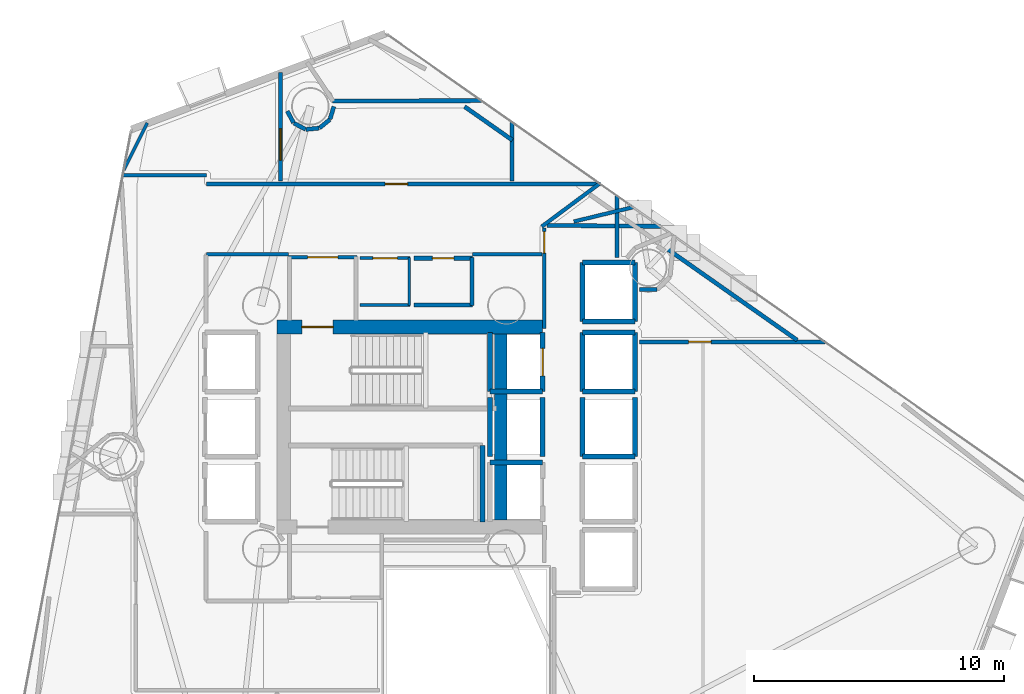
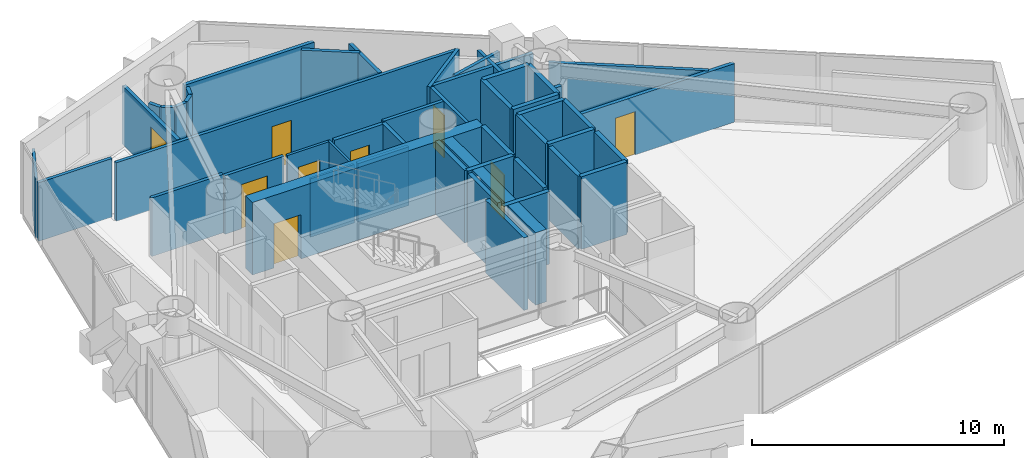
# One storey, part 20 of 24: 49 walls, 9 doors, 9 openings.
"""IFC4 building model written with IfcOpenShell, lengths in metres."""

from ifc_helpers import new_model, si_unit, direction, frame, frame_2d, origin, place, context, subcontext, project, spatial, rectangle, extrude, material, layer, layer_set, type_object, element, fill, save


model = new_model("IFC4")

# Units and contexts
model_context = context("Model", 3, precision=1e-05, world=origin(), true_north=direction((0.0, 1.0)))
body_context = subcontext(model_context, "Body", "Model", "MODEL_VIEW")
ifc_project = project(units=[si_unit("LENGTHUNIT", "METRE"), si_unit("AREAUNIT", "SQUARE_METRE"), si_unit("VOLUMEUNIT", "CUBIC_METRE"), si_unit("PLANEANGLEUNIT", "RADIAN"), si_unit("MASSUNIT", "GRAM", prefix="KILO")], contexts=[model_context])

# Site, building, storey
site_placement = place(None, origin())
site = spatial("IfcSite", under=ifc_project, at=site_placement, CompositionType="ELEMENT")
building_placement = place(site_placement, origin())
building = spatial("IfcBuilding", under=site, at=building_placement, Name="Qianvela Tower", CompositionType="ELEMENT")
storey_placement = place(building_placement, frame((0.0, 0.0, 101.5)))
storey = spatial("IfcBuildingStorey", under=building, at=storey_placement, Name="L25", CompositionType="ELEMENT", Elevation=101.5)

# Wall, opening, door
ifc_material_1 = material(Name="Concrete C60", Category="concrete")
ifc_layer_1 = layer(ifc_material_1, 0.550048828125)
ifc_layer_set_1 = layer_set([ifc_layer_1], Name="Concrete C60")
wall_type_1 = type_object("IfcWallType", Name="WT-CORE-550", PredefinedType="SHEAR", material=ifc_layer_set_1)
wall_1_placement = place(storey_placement, frame((29.22998046875, 32.695068359375, 0.0), z_axis=(0.0, 0.0, 1.0), x_axis=(1.0, 0.0, 0.0)))
wall_1 = element("IfcWall", 1, at=wall_1_placement, inside=storey, type_object=wall_type_1, Name="L25 North Core Shear Wall", PredefinedType="SHEAR", context=body_context, shape_type="SweptSolid", body=[
    extrude(rectangle(XDim=10.6201171875, YDim=0.550048828125, at=frame_2d((5.31005859375, 0.0))), origin(), (0.0, 0.0, 1.0), 3.52001953125),
])
opening_1_placement = place(wall_1_placement, frame((0.9951171875, 0.0, 0.0)))
opening_1 = element("IfcOpeningElement", 2, at=opening_1_placement, cuts=wall_1, Name="Opening D-ST1", PredefinedType="OPENING", context=body_context, shape_type="SweptSolid", body=[
    extrude(rectangle(XDim=1.25, YDim=2.14990234375, at=frame_2d((0.625, 1.074951171875))), frame((0.0, 0.284912109375, 0.0), z_axis=(0.0, -1.0, 0.0), x_axis=(1.0, 0.0, 0.0)), (0.0, 0.0, 1.0), 0.570068359375),
])
ifc_material_2 = material(Name="Galvanised Fire Steel Q355B", Category="steel")
door_type_1 = type_object("IfcDoorType", Name="DT-STAIR-FD90", OperationType="NOTDEFINED", PredefinedType="DOOR", material=ifc_material_2)
door_1_placement = place(opening_1_placement, origin())
door_1 = element("IfcDoor", 3, at=door_1_placement, inside=storey, type_object=door_type_1, Name="L25 Stair ST-1 Exit Door", OperationType="SINGLE_SWING_RIGHT", OverallHeight=2.14990234375, OverallWidth=1.25, PredefinedType="DOOR", context=body_context, shape_type="SweptSolid", body=[
    extrude(rectangle(XDim=1.25, YDim=2.14990234375, at=frame_2d((0.625, 1.074951171875))), frame((0.0, 0.02490234375, 0.0), z_axis=(0.0, -1.0, 0.0), x_axis=(1.0, 0.0, 0.0)), (0.0, 0.0, 1.0), 0.050048828125),
])
fill(opening_1, door_1)

# Wall
wall_2_placement = place(storey_placement, frame((38.179931640625, 24.97998046875, 0.0), z_axis=(0.0, 0.0, 1.0), x_axis=(0.0, 1.0, 0.0)))
element("IfcWall", 4, at=wall_2_placement, inside=storey, type_object=wall_type_1, Name="L25 East Spine Core Shear Wall", PredefinedType="SHEAR", context=body_context, shape_type="SweptSolid", body=[
    extrude(rectangle(XDim=7.43994140625, YDim=0.5, at=frame_2d((3.719970703125, 0.0))), origin(), (0.0, 0.0, 1.0), 3.52001953125),
])

# Wall, opening, door
ifc_material_3 = material(Name="Fire-Rated Acoustic Gypsum Board")
ifc_layer_2 = layer(ifc_material_3, 0.14990234375)
ifc_layer_set_2 = layer_set([ifc_layer_2], Name="Fire-Rated Acoustic Gypsum Board")
wall_type_2 = type_object("IfcWallType", Name="WT-CORR-150", PredefinedType="PARTITIONING", material=ifc_layer_set_2)
wall_3_placement = place(storey_placement, frame((29.699951171875, 35.489013671875, 0.0), z_axis=(0.0, 0.0, 1.0), x_axis=(1.0, 0.0, 0.0)))
wall_3 = element("IfcWall", 5, at=wall_3_placement, inside=storey, type_object=wall_type_2, Name="L25 Partition 3", PredefinedType="PARTITIONING", context=body_context, shape_type="SweptSolid", body=[
    extrude(rectangle(XDim=2.719970703125, YDim=0.14990234375, at=frame_2d((1.35986328125, 0.0))), origin(), (0.0, 0.0, 1.0), 2.840087890625),
])
opening_2_placement = place(wall_3_placement, frame((0.760009765625, 0.0, 0.0)))
opening_2 = element("IfcOpeningElement", 6, at=opening_2_placement, cuts=wall_3, Name="Opening D-LB1", PredefinedType="OPENING", context=body_context, shape_type="SweptSolid", body=[
    extrude(rectangle(XDim=1.199951171875, YDim=2.14990234375, at=frame_2d((0.60009765625, 1.074951171875))), frame((0.0, 0.0849609375, 0.0), z_axis=(0.0, -1.0, 0.0), x_axis=(1.0, 0.0, 0.0)), (0.0, 0.0, 1.0), 0.169921875),
])
ifc_material_4 = material(Name="Glazed Fire-Rated Steel Frame", Category="steel")
door_type_2 = type_object("IfcDoorType", Name="DT-LOBBY-FD90", OperationType="NOTDEFINED", PredefinedType="DOOR", material=ifc_material_4)
door_2_placement = place(opening_2_placement, origin())
door_2 = element("IfcDoor", 7, at=door_2_placement, inside=storey, type_object=door_type_2, Name="L25 Door L25 Firefighting Lobby North to L25 Floor Corridor", OperationType="SINGLE_SWING_LEFT", OverallHeight=2.14990234375, OverallWidth=1.199951171875, PredefinedType="DOOR", context=body_context, shape_type="SweptSolid", body=[
    extrude(rectangle(XDim=1.199951171875, YDim=2.14990234375, at=frame_2d((0.60009765625, 1.074951171875))), frame((0.0, 0.02490234375, 0.0), z_axis=(0.0, -1.0, 0.0), x_axis=(1.0, 0.0, 0.0)), (0.0, 0.0, 1.0), 0.050048828125),
])
fill(opening_2, door_2)

wall_4_placement = place(storey_placement, frame((39.910888671875, 32.639892578125, 0.0), z_axis=(0.0, 0.0, 1.0), x_axis=(0.0, 1.0, 0.0)))
wall_4 = element("IfcWall", 8, at=wall_4_placement, inside=storey, type_object=wall_type_2, Name="L25 Partition 10", PredefinedType="PARTITIONING", context=body_context, shape_type="SweptSolid", body=[
    extrude(rectangle(XDim=4.010009765625, YDim=0.14990234375, at=frame_2d((2.0048828125, 0.0))), origin(), (0.0, 0.0, 1.0), 2.840087890625),
])
opening_3_placement = place(wall_4_placement, frame((3.010009765625, 0.0, 0.0)))
opening_3 = element("IfcOpeningElement", 9, at=opening_3_placement, cuts=wall_4, Name="Opening D-LB2", PredefinedType="OPENING", context=body_context, shape_type="SweptSolid", body=[
    extrude(rectangle(XDim=0.860107421875, YDim=2.050048828125, at=frame_2d((0.43017578125, 1.02490234375))), frame((0.0, 0.0849609375, 0.0), z_axis=(0.0, -1.0, 0.0), x_axis=(1.0, 0.0, 0.0)), (0.0, 0.0, 1.0), 0.169921875),
])
ifc_material_5 = material(Name="Insulated Steel Fire Door Q355B", Category="steel")
door_type_3 = type_object("IfcDoorType", Name="DT-LOBBY-FD90-860", OperationType="NOTDEFINED", PredefinedType="DOOR", material=ifc_material_5)
door_3_placement = place(opening_3_placement, origin())
door_3 = element("IfcDoor", 10, at=door_3_placement, inside=storey, type_object=door_type_3, Name="L25 Door L25 Lift Lobby to L25 Floor Corridor", OperationType="SINGLE_SWING_RIGHT", OverallHeight=2.050048828125, OverallWidth=0.860107421875, PredefinedType="DOOR", context=body_context, shape_type="SweptSolid", body=[
    extrude(rectangle(XDim=0.860107421875, YDim=2.050048828125, at=frame_2d((0.43017578125, 1.02490234375))), frame((0.0, 0.02490234375, 0.0), z_axis=(0.0, -1.0, 0.0), x_axis=(1.0, 0.0, 0.0)), (0.0, 0.0, 1.0), 0.050048828125),
])
fill(opening_3, door_3)

# Walls
wall_5_placement = place(storey_placement, frame((41.098876953125, 36.914794921875, 0.0), z_axis=(0.0, 0.0, 1.0), x_axis=(0.971792208063, 0.235838725295, 0.0)))
element("IfcWall", 11, at=wall_5_placement, inside=storey, type_object=wall_type_2, Name="L25 Partition 11", PredefinedType="PARTITIONING", context=body_context, shape_type="SweptSolid", body=[
    extrude(rectangle(XDim=2.4296875, YDim=0.14990234375, at=frame_2d((1.21484375, 0.0))), origin(), (0.0, 0.0, 1.0), 2.840087890625),
])
wall_6_placement = place(storey_placement, frame((42.819091796875, 37.957763671875, 0.0), z_axis=(0.0, 0.0, 1.0), x_axis=(0.0, -1.0, 0.0)))
element("IfcWall", 12, at=wall_6_placement, inside=storey, type_object=wall_type_2, Name="L25 Partition 12", PredefinedType="PARTITIONING", context=body_context, shape_type="SweptSolid", body=[
    extrude(rectangle(XDim=2.477783203125, YDim=0.14990234375, at=frame_2d((1.23876953125, 0.0))), origin(), (0.0, 0.0, 1.0), 2.840087890625),
])

# Wall, opening, door
wall_7_placement = place(storey_placement, frame((26.419921875, 38.4189453125, 0.0), z_axis=(0.0, 0.0, 1.0), x_axis=(1.0, 0.0, 0.0)))
wall_7 = element("IfcWall", 13, at=wall_7_placement, inside=storey, type_object=wall_type_2, Name="L25 Partition 40", PredefinedType="PARTITIONING", context=body_context, shape_type="SweptSolid", body=[
    extrude(rectangle(XDim=15.733642578125, YDim=0.14990234375, at=frame_2d((7.86669921875, 0.0))), origin(), (0.0, 0.0, 1.0), 2.840087890625),
])
opening_4_placement = place(wall_7_placement, frame((7.1298828125, 0.0, 0.0)))
opening_4 = element("IfcOpeningElement", 14, at=opening_4_placement, cuts=wall_7, Name="Opening D-KT1", PredefinedType="OPENING", context=body_context, shape_type="SweptSolid", body=[
    extrude(rectangle(XDim=0.89990234375, YDim=2.10009765625, at=frame_2d((0.449951171875, 1.050048828125))), frame((0.0, 0.0849609375, 0.0), z_axis=(0.0, -1.0, 0.0), x_axis=(1.0, 0.0, 0.0)), (0.0, 0.0, 1.0), 0.169921875),
])
ifc_material_6 = material(Name="Glazed Timber Kitchen Door", Category="wood")
door_type_4 = type_object("IfcDoorType", Name="DT-KITCH-900", OperationType="NOTDEFINED", PredefinedType="DOOR", material=ifc_material_6)
door_4_placement = place(opening_4_placement, origin())
door_4 = element("IfcDoor", 15, at=door_4_placement, inside=storey, type_object=door_type_4, Name="L25 Door Student Tea Pantry L25-04 to L25 Floor Corridor", OperationType="SINGLE_SWING_LEFT", OverallHeight=2.10009765625, OverallWidth=0.89990234375, PredefinedType="DOOR", context=body_context, shape_type="SweptSolid", body=[
    extrude(rectangle(XDim=0.89990234375, YDim=2.10009765625, at=frame_2d((0.449951171875, 1.050048828125))), frame((0.0, 0.02490234375, 0.0), z_axis=(0.0, -1.0, 0.0), x_axis=(1.0, 0.0, 0.0)), (0.0, 0.0, 1.0), 0.050048828125),
])
fill(opening_4, door_4)

# Walls
wall_8_placement = place(storey_placement, frame((42.13671875, 38.43994140625, 0.0), z_axis=(0.0, 0.0, 1.0), x_axis=(-0.802715001133, -0.596362831635, 0.0)))
element("IfcWall", 16, at=wall_8_placement, inside=storey, type_object=wall_type_2, Name="L25 Partition 41", PredefinedType="PARTITIONING", context=body_context, shape_type="SweptSolid", body=[
    extrude(rectangle(XDim=2.89404296875, YDim=0.14990234375, at=frame_2d((1.447021484375, 0.0))), origin(), (0.0, 0.0, 1.0), 2.840087890625),
])
wall_9_placement = place(storey_placement, frame((39.818115234375, 35.611083984375, 0.0), z_axis=(0.0, 0.0, 1.0), x_axis=(-1.0, 0.0, 0.0)))
element("IfcWall", 17, at=wall_9_placement, inside=storey, type_object=wall_type_2, Name="L25 Partition 43 seg 1", PredefinedType="PARTITIONING", context=body_context, shape_type="SweptSolid", body=[
    extrude(rectangle(XDim=2.76806640625, YDim=0.14990234375, at=frame_2d((1.384033203125, 0.0))), origin(), (0.0, 0.0, 1.0), 2.840087890625),
])
wall_10_placement = place(storey_placement, frame((29.699951171875, 35.611083984375, 0.0), z_axis=(0.0, 0.0, 1.0), x_axis=(-1.0, 0.0, 0.0)))
element("IfcWall", 18, at=wall_10_placement, inside=storey, type_object=wall_type_2, Name="L25 Partition 43 seg 4", PredefinedType="PARTITIONING", context=body_context, shape_type="SweptSolid", body=[
    extrude(rectangle(XDim=3.280029296875, YDim=0.14990234375, at=frame_2d((1.64013671875, 0.0))), origin(), (0.0, 0.0, 1.0), 2.840087890625),
])
wall_11_placement = place(storey_placement, frame((23.04736328125, 38.76904296875, 0.0), z_axis=(0.0, 0.0, 1.0), x_axis=(1.0, 0.0, 0.0)))
element("IfcWall", 19, at=wall_11_placement, inside=storey, type_object=wall_type_2, Name="L25 Partition 53", PredefinedType="PARTITIONING", context=body_context, shape_type="SweptSolid", body=[
    extrude(rectangle(XDim=3.37255859375, YDim=0.14990234375, at=frame_2d((1.686279296875, 0.0))), origin(), (0.0, 0.0, 1.0), 2.840087890625),
])
ifc_material_7 = material(Name="Lightweight Gypsum Room Partition")
ifc_layer_3 = layer(ifc_material_7, 0.10498046875)
ifc_layer_set_3 = layer_set([ifc_layer_3], Name="Lightweight Gypsum Room Partition")
wall_type_3 = type_object("IfcWallType", Name="WT-PART-105", PredefinedType="PARTITIONING", material=ifc_layer_set_3)
wall_12_placement = place(storey_placement, frame((34.550048828125, 33.5810546875, 0.0), z_axis=(0.0, 0.0, 1.0), x_axis=(-1.0, 0.0, 0.0)))
element("IfcWall", 20, at=wall_12_placement, inside=storey, type_object=wall_type_3, Name="L25 Partition 18", PredefinedType="PARTITIONING", context=body_context, shape_type="SweptSolid", body=[
    extrude(rectangle(XDim=2.0, YDim=0.10498046875, at=frame_2d((1.0, 0.0))), origin(), (0.0, 0.0, 1.0), 2.840087890625),
])
wall_13_placement = place(storey_placement, frame((34.51904296875, 35.47998046875, 0.0), z_axis=(0.0, 0.0, 1.0), x_axis=(0.0, -1.0, 0.0)))
element("IfcWall", 21, at=wall_13_placement, inside=storey, type_object=wall_type_3, Name="L25 Partition 21", PredefinedType="PARTITIONING", context=body_context, shape_type="SweptSolid", body=[
    extrude(rectangle(XDim=1.929931640625, YDim=0.10498046875, at=frame_2d((0.96484375, 0.0))), origin(), (0.0, 0.0, 1.0), 2.840087890625),
])

# Wall, opening, door
ifc_material_8 = material(Name="Insulated Gypsum Stud Partition")
ifc_layer_4 = layer(ifc_material_8, 0.1201171875)
ifc_layer_set_4 = layer_set([ifc_layer_4], Name="Insulated Gypsum Stud Partition")
wall_type_4 = type_object("IfcWallType", Name="WT-PART-120", PredefinedType="PARTITIONING", material=ifc_layer_set_4)
wall_14_placement = place(storey_placement, frame((32.550048828125, 35.448974609375, 0.0), z_axis=(0.0, 0.0, 1.0), x_axis=(1.0, 0.0, 0.0)))
wall_14 = element("IfcWall", 22, at=wall_14_placement, inside=storey, type_object=wall_type_4, Name="L25 Partition 20", PredefinedType="PARTITIONING", context=body_context, shape_type="SweptSolid", body=[
    extrude(rectangle(XDim=2.0, YDim=0.1201171875, at=frame_2d((1.0, 0.0))), origin(), (0.0, 0.0, 1.0), 2.840087890625),
])
opening_5_placement = place(wall_14_placement, frame((0.510009765625, 0.0, 0.0)))
opening_5 = element("IfcOpeningElement", 23, at=opening_5_placement, cuts=wall_14, Name="Opening D-RM1", PredefinedType="OPENING", context=body_context, shape_type="SweptSolid", body=[
    extrude(rectangle(XDim=0.97998046875, YDim=2.10009765625, at=frame_2d((0.489990234375, 1.050048828125))), frame((0.0, 0.070068359375, 0.0), z_axis=(0.0, -1.0, 0.0), x_axis=(1.0, 0.0, 0.0)), (0.0, 0.0, 1.0), 0.14013671875),
])
ifc_material_9 = material(Name="Solid Core Acoustic Timber Fire Door", Category="wood")
door_type_5 = type_object("IfcDoorType", Name="DT-ROOM-FD60", OperationType="NOTDEFINED", PredefinedType="DOOR", material=ifc_material_9)
door_5_placement = place(opening_5_placement, origin())
door_5 = element("IfcDoor", 24, at=door_5_placement, inside=storey, type_object=door_type_5, Name="L25 Door L25 Cleaner Store to L25 Floor Corridor", OperationType="SINGLE_SWING_LEFT", OverallHeight=2.10009765625, OverallWidth=0.97998046875, PredefinedType="DOOR", context=body_context, shape_type="SweptSolid", body=[
    extrude(rectangle(XDim=0.97998046875, YDim=2.10009765625, at=frame_2d((0.489990234375, 1.050048828125))), frame((0.0, 0.02490234375, 0.0), z_axis=(0.0, -1.0, 0.0), x_axis=(1.0, 0.0, 0.0)), (0.0, 0.0, 1.0), 0.050048828125),
])
fill(opening_5, door_5)

# Walls
wall_15_placement = place(storey_placement, frame((23.107421875, 38.981201171875, 0.0), z_axis=(0.0, 0.0, 1.0), x_axis=(0.448049356474, 0.894008822195, 0.0)))
element("IfcWall", 25, at=wall_15_placement, inside=storey, type_object=wall_type_4, Name="L25 Partition 110", PredefinedType="PARTITIONING", context=body_context, shape_type="SweptSolid", body=[
    extrude(rectangle(XDim=2.102783203125, YDim=0.1201171875, at=frame_2d((1.05126953125, 0.0))), origin(), (0.0, 0.0, 1.0), 2.840087890625),
])
ifc_material_10 = material(Name="Sanitary Service Chase Partition")
ifc_layer_5 = layer(ifc_material_10, 0.1650390625)
ifc_layer_set_5 = layer_set([ifc_layer_5], Name="Sanitary Service Chase Partition")
wall_type_5 = type_object("IfcWallType", Name="WT-PLUMB-165", PredefinedType="PLUMBINGWALL", material=ifc_layer_set_5)
wall_16_placement = place(storey_placement, frame((37.050048828125, 33.5810546875, 0.0), z_axis=(0.0, 0.0, 1.0), x_axis=(-1.0, 0.0, 0.0)))
element("IfcWall", 26, at=wall_16_placement, inside=storey, type_object=wall_type_5, Name="L25 Partition 22", PredefinedType="PLUMBINGWALL", context=body_context, shape_type="SweptSolid", body=[
    extrude(rectangle(XDim=2.35009765625, YDim=0.1650390625, at=frame_2d((1.175048828125, 0.0))), origin(), (0.0, 0.0, 1.0), 2.840087890625),
])

# Wall, opening, door
wall_17_placement = place(storey_placement, frame((34.699951171875, 35.448974609375, 0.0), z_axis=(0.0, 0.0, 1.0), x_axis=(1.0, 0.0, 0.0)))
wall_17 = element("IfcWall", 27, at=wall_17_placement, inside=storey, type_object=wall_type_5, Name="L25 Partition 24", PredefinedType="PLUMBINGWALL", context=body_context, shape_type="SweptSolid", body=[
    extrude(rectangle(XDim=2.35009765625, YDim=0.1650390625, at=frame_2d((1.175048828125, 0.0))), origin(), (0.0, 0.0, 1.0), 2.840087890625),
])
opening_6_placement = place(wall_17_placement, frame((0.7451171875, 0.0, 0.0)))
opening_6 = element("IfcOpeningElement", 28, at=opening_6_placement, cuts=wall_17, Name="Opening D-WC1", PredefinedType="OPENING", context=body_context, shape_type="SweptSolid", body=[
    extrude(rectangle(XDim=0.860107421875, YDim=2.050048828125, at=frame_2d((0.43017578125, 1.02490234375))), frame((0.0, 0.092529296875, 0.0), z_axis=(0.0, -1.0, 0.0), x_axis=(1.0, 0.0, 0.0)), (0.0, 0.0, 1.0), 0.18505859375),
])
ifc_material_11 = material(Name="Moisture-Sealed Acoustic Timber Door", Category="wood")
door_type_6 = type_object("IfcDoorType", Name="DT-WC-860", OperationType="NOTDEFINED", PredefinedType="DOOR", material=ifc_material_11)
door_6_placement = place(opening_6_placement, origin())
door_6 = element("IfcDoor", 29, at=door_6_placement, inside=storey, type_object=door_type_6, Name="L25 Door L25 Accessible WC to L25 Floor Corridor", OperationType="SINGLE_SWING_RIGHT", OverallHeight=2.050048828125, OverallWidth=0.860107421875, PredefinedType="DOOR", context=body_context, shape_type="SweptSolid", body=[
    extrude(rectangle(XDim=0.860107421875, YDim=2.050048828125, at=frame_2d((0.43017578125, 1.02490234375))), frame((0.0, 0.02490234375, 0.0), z_axis=(0.0, -1.0, 0.0), x_axis=(1.0, 0.0, 0.0)), (0.0, 0.0, 1.0), 0.050048828125),
])
fill(opening_6, door_6)

# Wall
wall_18_placement = place(storey_placement, frame((37.01904296875, 35.47998046875, 0.0), z_axis=(0.0, 0.0, 1.0), x_axis=(0.0, -1.0, 0.0)))
element("IfcWall", 30, at=wall_18_placement, inside=storey, type_object=wall_type_5, Name="L25 Partition 25", PredefinedType="PLUMBINGWALL", context=body_context, shape_type="SweptSolid", body=[
    extrude(rectangle(XDim=1.929931640625, YDim=0.1650390625, at=frame_2d((0.96484375, 0.0))), origin(), (0.0, 0.0, 1.0), 2.840087890625),
])

# Wall, opening, door
wall_19_placement = place(storey_placement, frame((43.719970703125, 32.10693359375, 0.0), z_axis=(0.0, 0.0, 1.0), x_axis=(1.0, 0.0, 0.0)))
wall_19 = element("IfcWall", 31, at=wall_19_placement, inside=storey, type_object=wall_type_5, Name="L25 Partition 68", PredefinedType="PLUMBINGWALL", context=body_context, shape_type="SweptSolid", body=[
    extrude(rectangle(XDim=7.423583984375, YDim=0.1650390625, at=frame_2d((3.7119140625, 0.0))), origin(), (0.0, 0.0, 1.0), 2.840087890625),
])
opening_7_placement = place(wall_19_placement, frame((1.963134765625, 0.0, 0.0)))
opening_7 = element("IfcOpeningElement", 32, at=opening_7_placement, cuts=wall_19, Name="Opening D-KT1", PredefinedType="OPENING", context=body_context, shape_type="SweptSolid", body=[
    extrude(rectangle(XDim=0.89990234375, YDim=2.10009765625, at=frame_2d((0.449951171875, 1.050048828125))), frame((0.0, 0.092529296875, 0.0), z_axis=(0.0, -1.0, 0.0), x_axis=(1.0, 0.0, 0.0)), (0.0, 0.0, 1.0), 0.18505859375),
])
door_7_placement = place(opening_7_placement, origin())
door_7 = element("IfcDoor", 33, at=door_7_placement, inside=storey, type_object=door_type_4, Name="L25 Door Shared Communal Kitchen L25-03 to Social Galley Kitchen L25-02", OperationType="SINGLE_SWING_RIGHT", OverallHeight=2.10009765625, OverallWidth=0.89990234375, PredefinedType="DOOR", context=body_context, shape_type="SweptSolid", body=[
    extrude(rectangle(XDim=0.89990234375, YDim=2.10009765625, at=frame_2d((0.449951171875, 1.050048828125))), frame((0.0, 0.02490234375, 0.0), z_axis=(0.0, -1.0, 0.0), x_axis=(1.0, 0.0, 0.0)), (0.0, 0.0, 1.0), 0.050048828125),
])
fill(opening_7, door_7)

# Walls
wall_20_placement = place(storey_placement, frame((43.718017578125, 34.20068359375, 0.0), z_axis=(0.0, 0.0, 1.0), x_axis=(0.999993938262, -0.003481873044, 0.0)))
element("IfcWall", 34, at=wall_20_placement, inside=storey, type_object=wall_type_5, Name="L25 Partition 75", PredefinedType="PLUMBINGWALL", context=body_context, shape_type="SweptSolid", body=[
    extrude(rectangle(XDim=0.701171875, YDim=0.1650390625, at=frame_2d((0.3505859375, 0.0))), origin(), (0.0, 0.0, 1.0), 2.840087890625),
])
wall_21_placement = place(storey_placement, frame((44.5673828125, 36.72412109375, 0.0), z_axis=(0.0, 0.0, 1.0), x_axis=(-0.999967122675, 0.008108857501, 0.0)))
element("IfcWall", 35, at=wall_21_placement, inside=storey, type_object=wall_type_5, Name="L25 Partition 84", PredefinedType="PLUMBINGWALL", context=body_context, shape_type="SweptSolid", body=[
    extrude(rectangle(XDim=4.54638671875, YDim=0.1650390625, at=frame_2d((2.273193359375, 0.0))), origin(), (0.0, 0.0, 1.0), 2.840087890625),
])
wall_22_placement = place(storey_placement, frame((44.80078125, 35.842529296875, 0.0), z_axis=(0.0, 0.0, 1.0), x_axis=(0.818415320748, -0.574627151085, 0.0)))
element("IfcWall", 36, at=wall_22_placement, inside=storey, type_object=wall_type_5, Name="L25 Partition 86 seg 2", PredefinedType="PLUMBINGWALL", context=body_context, shape_type="SweptSolid", body=[
    extrude(rectangle(XDim=6.38330078125, YDim=0.1650390625, at=frame_2d((3.191650390625, 0.0))), origin(), (0.0, 0.0, 1.0), 2.840087890625),
])

# Wall, opening, door
wall_23_placement = place(storey_placement, frame((29.373046875, 38.530029296875, 0.0), z_axis=(0.0, 0.0, 1.0), x_axis=(0.0, 1.0, 0.0)))
wall_23 = element("IfcWall", 37, at=wall_23_placement, inside=storey, type_object=wall_type_5, Name="L25 Partition 90", PredefinedType="PLUMBINGWALL", context=body_context, shape_type="SweptSolid", body=[
    extrude(rectangle(XDim=4.3408203125, YDim=0.1650390625, at=frame_2d((2.17041015625, 0.0))), origin(), (0.0, 0.0, 1.0), 2.840087890625),
])
opening_8_placement = place(wall_23_placement, frame((0.845458984375, 0.0, 0.0)))
opening_8 = element("IfcOpeningElement", 38, at=opening_8_placement, cuts=wall_23, Name="Opening D-LG1", PredefinedType="OPENING", context=body_context, shape_type="SweptSolid", body=[
    extrude(rectangle(XDim=1.25, YDim=2.199951171875, at=frame_2d((0.625, 1.10009765625))), frame((0.0, 0.092529296875, 0.0), z_axis=(0.0, -1.0, 0.0), x_axis=(1.0, 0.0, 0.0)), (0.0, 0.0, 1.0), 0.18505859375),
])
ifc_material_12 = material(Name="Anodised Aluminium Acoustic Glass Door", Category="aluminium")
door_type_7 = type_object("IfcDoorType", Name="DT-LOUNGE-1250", OperationType="NOTDEFINED", PredefinedType="DOOR", material=ifc_material_12)
door_8_placement = place(opening_8_placement, origin())
door_8 = element("IfcDoor", 39, at=door_8_placement, inside=storey, type_object=door_type_7, Name="L25 Door Stationery Supply Boutique L25-05 to Student Tea Pantry L25-04", OperationType="SINGLE_SWING_LEFT", OverallHeight=2.199951171875, OverallWidth=1.25, PredefinedType="DOOR", context=body_context, shape_type="SweptSolid", body=[
    extrude(rectangle(XDim=1.25, YDim=2.199951171875, at=frame_2d((0.625, 1.10009765625))), frame((0.0, 0.02490234375, 0.0), z_axis=(0.0, -1.0, 0.0), x_axis=(1.0, 0.0, 0.0)), (0.0, 0.0, 1.0), 0.050048828125),
])
fill(opening_8, door_8)

# Walls
wall_24_placement = place(storey_placement, frame((37.412353515625, 41.747802734375, 0.0), z_axis=(0.0, 0.0, 1.0), x_axis=(-0.999996875015, -0.002499992188, 0.0)))
element("IfcWall", 40, at=wall_24_placement, inside=storey, type_object=wall_type_5, Name="L25 Partition 93", PredefinedType="PLUMBINGWALL", context=body_context, shape_type="SweptSolid", body=[
    extrude(rectangle(XDim=5.95703125, YDim=0.1650390625, at=frame_2d((2.978515625, 0.0))), origin(), (0.0, 0.0, 1.0), 2.840087890625),
])
wall_25_placement = place(storey_placement, frame((29.64404296875, 41.328857421875, 0.0), z_axis=(0.0, 0.0, 1.0), x_axis=(0.471618839574, -0.881802511994, 0.0)))
element("IfcWall", 41, at=wall_25_placement, inside=storey, type_object=wall_type_5, Name="L25 Partition 99", PredefinedType="PLUMBINGWALL", context=body_context, shape_type="SweptSolid", body=[
    extrude(rectangle(XDim=0.528564453125, YDim=0.1650390625, at=frame_2d((0.26416015625, 0.0))), origin(), (0.0, 0.0, 1.0), 2.840087890625),
])
for number, where, z_axis, x_axis, name in (
    (42, (29.906005859375, 40.85009765625, 0.0), (0.0, 0.0, 1.0), (0.881891910348, -0.471451650186, 0.0), "L25 Partition 100"),
    (43, (30.389404296875, 40.59765625, 0.0), (0.0, 0.0, 1.0), (0.995191506225, 0.09794828195, 0.0), "L25 Partition 101"),
    (44, (30.931884765625, 40.65625, 0.0), (0.0, 0.0, 1.0), (0.773009460249, 0.634394494275, 0.0), "L25 Partition 102"),
):
    element("IfcWall", number, at=place(storey_placement, frame(where, z_axis=z_axis, x_axis=x_axis)), inside=storey, type_object=wall_type_5, Name=name, PredefinedType="PLUMBINGWALL", context=body_context, shape_type="SweptSolid", body=[
        extrude(rectangle(XDim=0.5283203125, YDim=0.1650390625, at=frame_2d((0.26416015625, 0.0))), origin(), (0.0, 0.0, 1.0), 2.840087890625),
    ])
wall_26_placement = place(storey_placement, frame((31.350341796875, 41.006591796875, 0.0), z_axis=(0.0, 0.0, 1.0), x_axis=(0.289674521973, 0.957125211934, 0.0)))
element("IfcWall", 45, at=wall_26_placement, inside=storey, type_object=wall_type_5, Name="L25 Partition 103", PredefinedType="PLUMBINGWALL", context=body_context, shape_type="SweptSolid", body=[
    extrude(rectangle(XDim=0.529296875, YDim=0.1650390625, at=frame_2d((0.2646484375, 0.0))), origin(), (0.0, 0.0, 1.0), 2.840087890625),
])
wall_27_placement = place(storey_placement, frame((36.72900390625, 41.510009765625, 0.0), z_axis=(0.0, 0.0, 1.0), x_axis=(0.818376410008, -0.574682565894, 0.0)))
element("IfcWall", 46, at=wall_27_placement, inside=storey, type_object=wall_type_5, Name="L25 Partition 105", PredefinedType="PLUMBINGWALL", context=body_context, shape_type="SweptSolid", body=[
    extrude(rectangle(XDim=2.335205078125, YDim=0.1650390625, at=frame_2d((1.16748046875, 0.0))), origin(), (0.0, 0.0, 1.0), 2.840087890625),
])
wall_28_placement = place(storey_placement, frame((38.626953125, 40.90087890625, 0.0), z_axis=(0.0, 0.0, 1.0), x_axis=(0.0, -1.0, 0.0)))
element("IfcWall", 47, at=wall_28_placement, inside=storey, type_object=wall_type_5, Name="L25 Partition 106", PredefinedType="PLUMBINGWALL", context=body_context, shape_type="SweptSolid", body=[
    extrude(rectangle(XDim=2.370849609375, YDim=0.1650390625, at=frame_2d((1.185546875, 0.0))), origin(), (0.0, 0.0, 1.0), 2.840087890625),
])
ifc_material_13 = material(Name="Concrete C50", Category="concrete")
ifc_layer_6 = layer(ifc_material_13, 0.199951171875)
ifc_layer_set_6 = layer_set([ifc_layer_6], Name="Concrete C50")
wall_type_6 = type_object("IfcWallType", Name="WT-SHAFT-200", PredefinedType="SOLIDWALL", material=ifc_layer_set_6)
wall_29_placement = place(storey_placement, frame((37.449951171875, 24.89990234375, 0.0), z_axis=(0.0, 0.0, 1.0), x_axis=(0.0, 1.0, 0.0)))
element("IfcWall", 48, at=wall_29_placement, inside=storey, type_object=wall_type_6, Name="L25 Stair ST-2 East Wall", PredefinedType="SOLIDWALL", context=body_context, shape_type="SweptSolid", body=[
    extrude(rectangle(XDim=3.06005859375, YDim=0.199951171875, at=frame_2d((1.530029296875, 0.0))), origin(), (0.0, 0.0, 1.0), 3.52001953125),
])

# Wall, opening, door
wall_30_placement = place(storey_placement, frame((39.85009765625, 30.1201171875, 0.0), z_axis=(0.0, 0.0, 1.0), x_axis=(0.0, 1.0, 0.0)))
wall_30 = element("IfcWall", 49, at=wall_30_placement, inside=storey, type_object=wall_type_6, Name="L25 Lift FL-1 E Shaft Wall", PredefinedType="SOLIDWALL", context=body_context, shape_type="SweptSolid", body=[
    extrude(rectangle(XDim=2.35986328125, YDim=0.199951171875, at=frame_2d((1.179931640625, 0.0))), origin(), (0.0, 0.0, 1.0), 3.52001953125),
])
opening_9_placement = place(wall_30_placement, frame((0.6298828125, 0.0, 0.0)))
opening_9 = element("IfcOpeningElement", 50, at=opening_9_placement, cuts=wall_30, Name="Opening LD-01", PredefinedType="OPENING", context=body_context, shape_type="SweptSolid", body=[
    extrude(rectangle(XDim=1.10009765625, YDim=2.14990234375, at=frame_2d((0.550048828125, 1.074951171875))), frame((0.0, 0.10986328125, 0.0), z_axis=(0.0, -1.0, 0.0), x_axis=(1.0, 0.0, 0.0)), (0.0, 0.0, 1.0), 0.219970703125),
])
ifc_material_14 = material(Name="Brushed Stainless Steel Lift Landing Door", Category="steel")
door_type_8 = type_object("IfcDoorType", Name="DT-LIFT-SLIDE-1100", OperationType="SLIDING_TO_LEFT", PredefinedType="DOOR", material=ifc_material_14)
door_9_placement = place(opening_9_placement, origin())
door_9 = element("IfcDoor", 51, at=door_9_placement, inside=storey, type_object=door_type_8, Name="L25 Lift FL-1 Sliding Landing Door", OperationType="SLIDING_TO_LEFT", OverallHeight=2.14990234375, OverallWidth=1.10009765625, PredefinedType="DOOR", context=body_context, shape_type="SweptSolid", body=[
    extrude(rectangle(XDim=1.10009765625, YDim=2.14990234375, at=frame_2d((0.550048828125, 1.074951171875))), frame((0.0, 0.02490234375, 0.0), z_axis=(0.0, -1.0, 0.0), x_axis=(1.0, 0.0, 0.0)), (0.0, 0.0, 1.0), 0.050048828125),
])
fill(opening_9, door_9)

# Walls
wall_31_placement = place(storey_placement, frame((37.75, 30.1201171875, 0.0), z_axis=(0.0, 0.0, 1.0), x_axis=(0.0, 1.0, 0.0)))
element("IfcWall", 52, at=wall_31_placement, inside=storey, type_object=wall_type_6, Name="L25 Lift FL-1 W Shaft Wall", PredefinedType="SOLIDWALL", context=body_context, shape_type="SweptSolid", body=[
    extrude(rectangle(XDim=2.35986328125, YDim=0.199951171875, at=frame_2d((1.179931640625, 0.0))), origin(), (0.0, 0.0, 1.0), 3.52001953125),
])
for number, where, z_axis, x_axis, name in (
    (53, (37.75, 30.1201171875, 0.0), (0.0, 0.0, 1.0), (1.0, 0.0, 0.0), "L25 Lift FL-1 S Shaft Wall"),
    (54, (37.75, 27.280029296875, 0.0), (0.0, 0.0, 1.0), (1.0, 0.0, 0.0), "L25 Lift FL-2 N Shaft Wall"),
):
    element("IfcWall", number, at=place(storey_placement, frame(where, z_axis=z_axis, x_axis=x_axis)), inside=storey, type_object=wall_type_6, Name=name, PredefinedType="SOLIDWALL", context=body_context, shape_type="SweptSolid", body=[
        extrude(rectangle(XDim=2.10009765625, YDim=0.199951171875, at=frame_2d((1.050048828125, 0.0))), origin(), (0.0, 0.0, 1.0), 3.52001953125),
    ])
for number, where, z_axis, x_axis, name in (
    (55, (43.550048828125, 30.1201171875, 0.0), (0.0, 0.0, 1.0), (0.0, 1.0, 0.0), "L25 Lift PL-M1 E Shaft Wall"),
    (56, (41.449951171875, 30.1201171875, 0.0), (0.0, 0.0, 1.0), (0.0, 1.0, 0.0), "L25 Lift PL-M1 W Shaft Wall"),
):
    element("IfcWall", number, at=place(storey_placement, frame(where, z_axis=z_axis, x_axis=x_axis)), inside=storey, type_object=wall_type_6, Name=name, PredefinedType="SOLIDWALL", context=body_context, shape_type="SweptSolid", body=[
        extrude(rectangle(XDim=2.35986328125, YDim=0.199951171875, at=frame_2d((1.179931640625, 0.0))), origin(), (0.0, 0.0, 1.0), 3.52001953125),
    ])
for number, where, z_axis, x_axis, name in (
    (57, (41.449951171875, 32.47998046875, 0.0), (0.0, 0.0, 1.0), (1.0, 0.0, 0.0), "L25 Lift PL-M1 N Shaft Wall"),
    (58, (41.449951171875, 30.1201171875, 0.0), (0.0, 0.0, 1.0), (1.0, 0.0, 0.0), "L25 Lift PL-M1 S Shaft Wall"),
):
    element("IfcWall", number, at=place(storey_placement, frame(where, z_axis=z_axis, x_axis=x_axis)), inside=storey, type_object=wall_type_6, Name=name, PredefinedType="SOLIDWALL", context=body_context, shape_type="SweptSolid", body=[
        extrude(rectangle(XDim=2.10009765625, YDim=0.199951171875, at=frame_2d((1.050048828125, 0.0))), origin(), (0.0, 0.0, 1.0), 3.52001953125),
    ])
for number, where, z_axis, x_axis, name in (
    (59, (43.550048828125, 27.52001953125, 0.0), (0.0, 0.0, 1.0), (0.0, 1.0, 0.0), "L25 Lift PL-M2 E Shaft Wall"),
    (60, (41.449951171875, 27.52001953125, 0.0), (0.0, 0.0, 1.0), (0.0, 1.0, 0.0), "L25 Lift PL-M2 W Shaft Wall"),
):
    element("IfcWall", number, at=place(storey_placement, frame(where, z_axis=z_axis, x_axis=x_axis)), inside=storey, type_object=wall_type_6, Name=name, PredefinedType="SOLIDWALL", context=body_context, shape_type="SweptSolid", body=[
        extrude(rectangle(XDim=2.35986328125, YDim=0.199951171875, at=frame_2d((1.179931640625, 0.0))), origin(), (0.0, 0.0, 1.0), 3.52001953125),
    ])
wall_32_placement = place(storey_placement, frame((41.449951171875, 27.52001953125, 0.0), z_axis=(0.0, 0.0, 1.0), x_axis=(1.0, 0.0, 0.0)))
element("IfcWall", 61, at=wall_32_placement, inside=storey, type_object=wall_type_6, Name="L25 Lift PL-M2 S Shaft Wall", PredefinedType="SOLIDWALL", context=body_context, shape_type="SweptSolid", body=[
    extrude(rectangle(XDim=2.10009765625, YDim=0.199951171875, at=frame_2d((1.050048828125, 0.0))), origin(), (0.0, 0.0, 1.0), 3.52001953125),
])
for number, where, z_axis, x_axis, name in (
    (62, (39.85009765625, 27.52001953125, 0.0), (0.0, 0.0, 1.0), (0.0, 1.0, 0.0), "L25 Lift PL-H1 E Shaft Wall"),
    (63, (37.75, 27.52001953125, 0.0), (0.0, 0.0, 1.0), (0.0, 1.0, 0.0), "L25 Lift PL-H1 W Shaft Wall"),
):
    element("IfcWall", number, at=place(storey_placement, frame(where, z_axis=z_axis, x_axis=x_axis)), inside=storey, type_object=wall_type_6, Name=name, PredefinedType="SOLIDWALL", context=body_context, shape_type="SweptSolid", body=[
        extrude(rectangle(XDim=2.35986328125, YDim=0.199951171875, at=frame_2d((1.179931640625, 0.0))), origin(), (0.0, 0.0, 1.0), 3.52001953125),
    ])
for number, where, z_axis, x_axis, name in (
    (64, (43.550048828125, 32.919921875, 0.0), (0.0, 0.0, 1.0), (0.0, 1.0, 0.0), "L25 Lift PL-H3 E Shaft Wall"),
    (65, (41.449951171875, 32.919921875, 0.0), (0.0, 0.0, 1.0), (0.0, 1.0, 0.0), "L25 Lift PL-H3 W Shaft Wall"),
):
    element("IfcWall", number, at=place(storey_placement, frame(where, z_axis=z_axis, x_axis=x_axis)), inside=storey, type_object=wall_type_6, Name=name, PredefinedType="SOLIDWALL", context=body_context, shape_type="SweptSolid", body=[
        extrude(rectangle(XDim=2.360107421875, YDim=0.199951171875, at=frame_2d((1.18017578125, 0.0))), origin(), (0.0, 0.0, 1.0), 3.52001953125),
    ])
for number, where, z_axis, x_axis, name in (
    (66, (41.449951171875, 35.280029296875, 0.0), (0.0, 0.0, 1.0), (1.0, 0.0, 0.0), "L25 Lift PL-H3 N Shaft Wall"),
    (67, (41.449951171875, 32.919921875, 0.0), (0.0, 0.0, 1.0), (1.0, 0.0, 0.0), "L25 Lift PL-H3 S Shaft Wall"),
):
    element("IfcWall", number, at=place(storey_placement, frame(where, z_axis=z_axis, x_axis=x_axis)), inside=storey, type_object=wall_type_6, Name=name, PredefinedType="SOLIDWALL", context=body_context, shape_type="SweptSolid", body=[
        extrude(rectangle(XDim=2.10009765625, YDim=0.199951171875, at=frame_2d((1.050048828125, 0.0))), origin(), (0.0, 0.0, 1.0), 3.52001953125),
    ])

save(model, "model.ifc")
